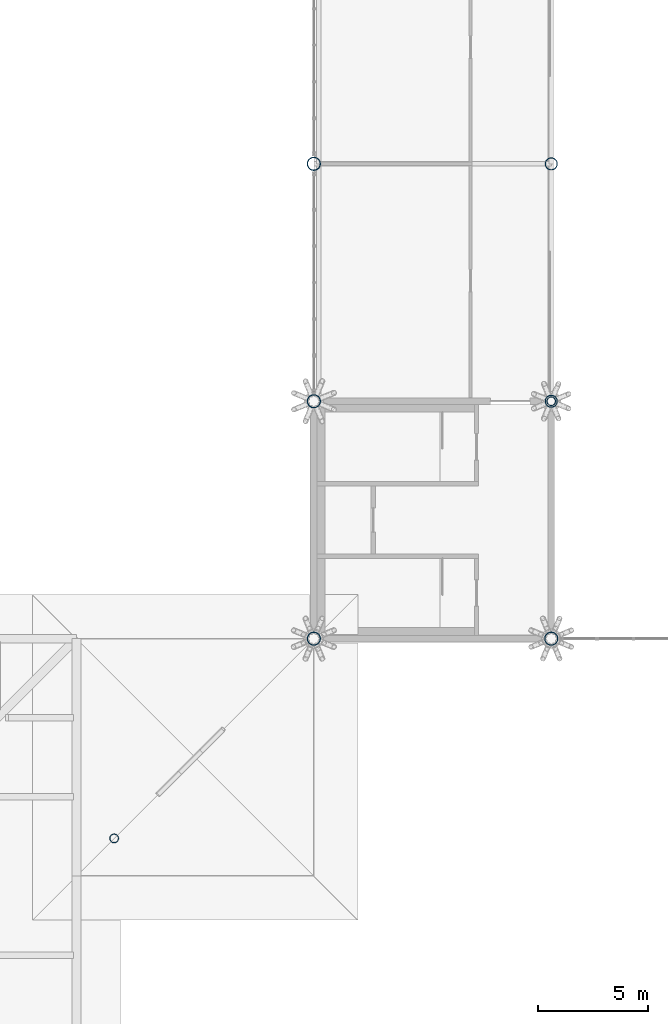
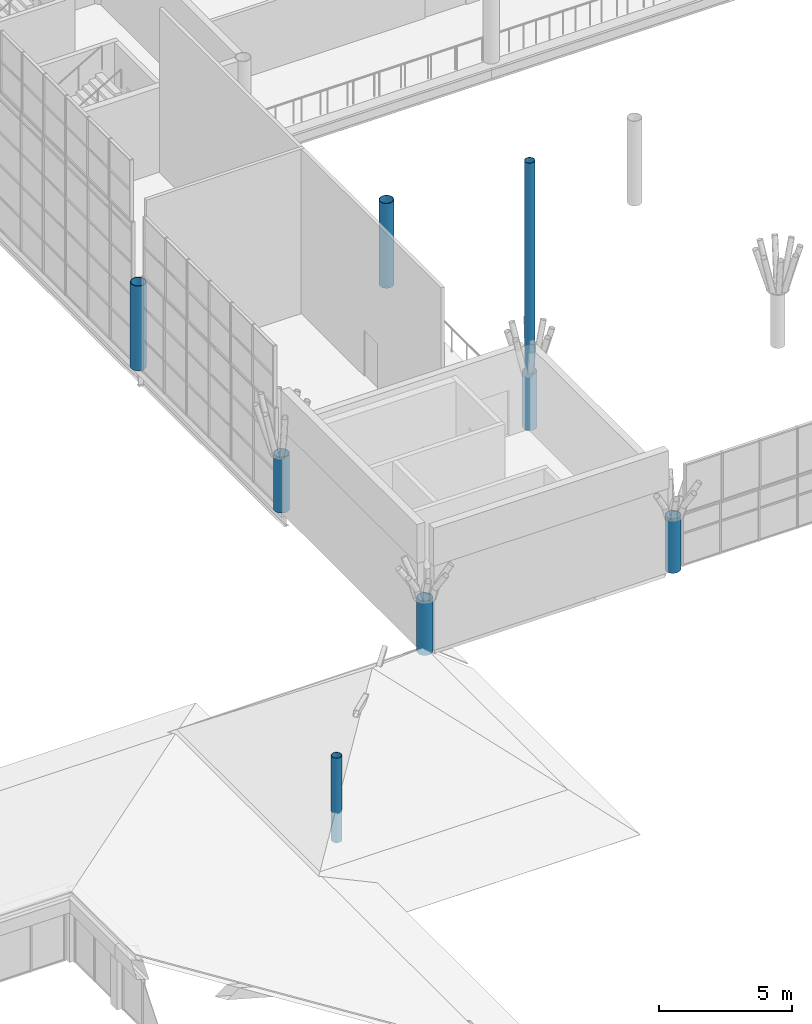
# One storey, part 2 of 95: 8 columns.
"""IFC4 building model written with IfcOpenShell, lengths in metres."""

from ifc_helpers import new_model, si_unit, direction, frame, origin, origin_2d, place, context, subcontext, project, spatial, hollow_circle, extrude, material, material_profile, profile_set, type_object, element, save


model = new_model("IFC4")

# Units and contexts
model_context = context("Model", 3, precision=1e-05, world=origin(), true_north=direction((0.0, 1.0)))
body_context = subcontext(model_context, "Body", "Model", "MODEL_VIEW")
ifc_project = project(units=[si_unit("LENGTHUNIT", "METRE"), si_unit("AREAUNIT", "SQUARE_METRE"), si_unit("VOLUMEUNIT", "CUBIC_METRE"), si_unit("PLANEANGLEUNIT", "RADIAN"), si_unit("MASSUNIT", "GRAM", prefix="KILO")], contexts=[model_context])

# Site, building, storey
site_placement = place(None, origin())
site = spatial("IfcSite", under=ifc_project, at=site_placement, CompositionType="ELEMENT")
building_placement = place(site_placement, origin())
building = spatial("IfcBuilding", under=site, at=building_placement, Name="Magnolia Steps Interchange", CompositionType="ELEMENT")
storey_placement = place(building_placement, frame((0.0, 0.0, 4.800048828125)))
storey = spatial("IfcBuildingStorey", under=building, at=storey_placement, Name="L01", CompositionType="ELEMENT", Elevation=4.800048828125)

# Columns
ifc_material_1 = material(Name="Steel Q355B", Category="steel")
ifc_material_profile_1 = material_profile(ifc_material_1, hollow_circle(Radius=0.202880859375, WallThickness=0.01611328125, at=origin_2d()), Name="CHS406x16")
ifc_profile_set_1 = profile_set([ifc_material_profile_1], Name="Steel Q355B")
column_type_1 = type_object("IfcColumnType", Name="Mast CHS406x16", PredefinedType="COLUMN", material=ifc_profile_set_1)
column_1_placement = place(storey_placement, frame((64.0, 53.199951171875, 2.59423828125), z_axis=(0.0, 0.0, 1.0), x_axis=(1.0, 0.0, 0.0)))
element("IfcColumn", 1, at=column_1_placement, inside=storey, type_object=column_type_1, Name="Mast SP-H-SW", PredefinedType="COLUMN", context=body_context, shape_type="SweptSolid", body=[
    extrude(hollow_circle(Radius=0.202880859375, WallThickness=0.01611328125, at=origin_2d()), origin(), (0.0, 0.0, 1.0), 9.654541015625),
])
ifc_material_2 = material(Name="Steel Q355B", Category="steel")
ifc_material_profile_2 = material_profile(ifc_material_2, hollow_circle(Radius=0.279541015625, WallThickness=0.02001953125, at=origin_2d()), Name="CHS559x20")
ifc_profile_set_2 = profile_set([ifc_material_profile_2], Name="Steel Q355B")
column_type_2 = type_object("IfcColumnType", Name="Tree trunk CHS559x20", PredefinedType="COLUMN", material=ifc_profile_set_2)
column_2_placement = place(storey_placement, frame((64.0, 53.199951171875, 0.0), z_axis=(0.0, 0.0, 1.0), x_axis=(1.0, 0.0, 0.0)))
element("IfcColumn", 2, at=column_2_placement, inside=storey, type_object=column_type_2, Name="Tree trunk TH02B", PredefinedType="COLUMN", context=body_context, shape_type="SweptSolid", body=[
    extrude(hollow_circle(Radius=0.279541015625, WallThickness=0.02001953125, at=origin_2d()), origin(), (0.0, 0.0, 1.0), 2.564453125),
])
column_3_placement = place(storey_placement, frame((64.0, 64.0, 0.0), z_axis=(0.0, 0.0, 1.0), x_axis=(1.0, 0.0, 0.0)))
element("IfcColumn", 3, at=column_3_placement, inside=storey, type_object=column_type_2, Name="Tree trunk TH02C", PredefinedType="COLUMN", context=body_context, shape_type="SweptSolid", body=[
    extrude(hollow_circle(Radius=0.279541015625, WallThickness=0.02001953125, at=origin_2d()), origin(), (0.0, 0.0, 1.0), 3.89990234375),
])
ifc_material_3 = material(Name="Steel Q355B", Category="steel")
ifc_material_profile_3 = material_profile(ifc_material_3, hollow_circle(Radius=0.304931640625, WallThickness=0.02490234375, at=origin_2d()), Name="CHS610x25")
ifc_profile_set_3 = profile_set([ifc_material_profile_3], Name="Steel Q355B")
column_type_3 = type_object("IfcColumnType", Name="Tree trunk CHS610x25", PredefinedType="COLUMN", material=ifc_profile_set_3)
column_4_placement = place(storey_placement, frame((53.199951171875, 42.39990234375, 0.0), z_axis=(0.0, 0.0, 1.0), x_axis=(1.0, 0.0, 0.0)))
element("IfcColumn", 4, at=column_4_placement, inside=storey, type_object=column_type_3, Name="Tree trunk TH01A", PredefinedType="COLUMN", context=body_context, shape_type="SweptSolid", body=[
    extrude(hollow_circle(Radius=0.304931640625, WallThickness=0.02490234375, at=origin_2d()), origin(), (0.0, 0.0, 1.0), 2.489990234375),
])
column_5_placement = place(storey_placement, frame((53.199951171875, 53.199951171875, 0.0), z_axis=(0.0, 0.0, 1.0), x_axis=(1.0, 0.0, 0.0)))
element("IfcColumn", 5, at=column_5_placement, inside=storey, type_object=column_type_3, Name="Tree trunk TH01B", PredefinedType="COLUMN", context=body_context, shape_type="SweptSolid", body=[
    extrude(hollow_circle(Radius=0.304931640625, WallThickness=0.02490234375, at=origin_2d()), origin(), (0.0, 0.0, 1.0), 2.564453125),
])
column_6_placement = place(storey_placement, frame((53.199951171875, 64.0, 0.0), z_axis=(0.0, 0.0, 1.0), x_axis=(1.0, 0.0, 0.0)))
element("IfcColumn", 6, at=column_6_placement, inside=storey, type_object=column_type_3, Name="Tree trunk TH01C", PredefinedType="COLUMN", context=body_context, shape_type="SweptSolid", body=[
    extrude(hollow_circle(Radius=0.304931640625, WallThickness=0.02490234375, at=origin_2d()), origin(), (0.0, 0.0, 1.0), 3.89990234375),
])
column_7_placement = place(storey_placement, frame((64.0, 42.39990234375, 0.0), z_axis=(0.0, 0.0, 1.0), x_axis=(1.0, 0.0, 0.0)))
element("IfcColumn", 7, at=column_7_placement, inside=storey, type_object=column_type_3, Name="Tree trunk TH02A", PredefinedType="COLUMN", context=body_context, shape_type="SweptSolid", body=[
    extrude(hollow_circle(Radius=0.304931640625, WallThickness=0.02490234375, at=origin_2d()), origin(), (0.0, 0.0, 1.0), 2.489990234375),
])
ifc_material_4 = material(Name="Steel Q355B", Category="steel")
ifc_material_profile_4 = material_profile(ifc_material_4, hollow_circle(Radius=0.202880859375, WallThickness=0.01611328125, at=origin_2d()), Name="CHS406x16")
ifc_profile_set_4 = profile_set([ifc_material_profile_4], Name="Steel Q355B")
column_type_4 = type_object("IfcColumnType", Name="Truss tip prop CHS406x16", PredefinedType="COLUMN", material=ifc_profile_set_4)
column_8_placement = place(storey_placement, frame((44.11376953125, 33.313720703125, 0.0), z_axis=(0.0, 0.0, 1.0), x_axis=(1.0, 0.0, 0.0)))
element("IfcColumn", 8, at=column_8_placement, inside=storey, type_object=column_type_4, Name="Tip prop SP-H-SW", PredefinedType="COLUMN", context=body_context, shape_type="SweptSolid", body=[
    extrude(hollow_circle(Radius=0.202880859375, WallThickness=0.01611328125, at=origin_2d()), origin(), (0.0, 0.0, 1.0), 3.892333984375),
])

save(model, "model.ifc")
